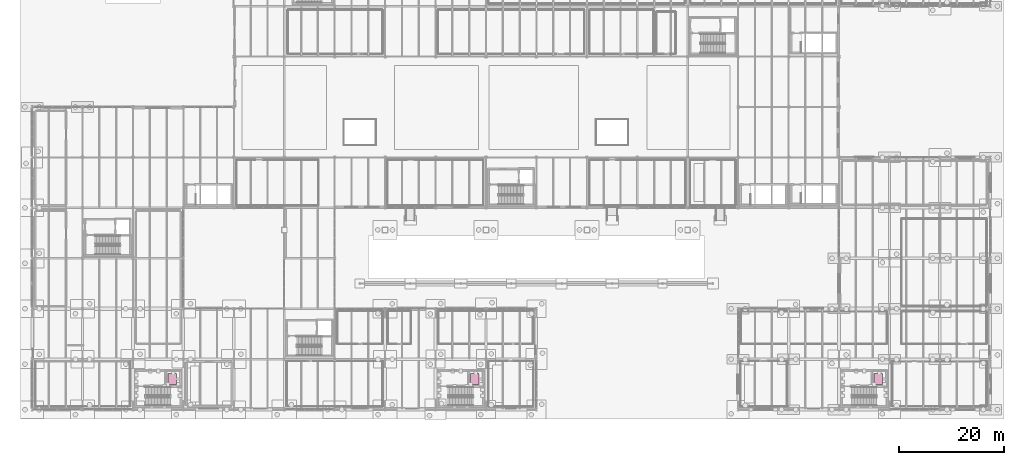
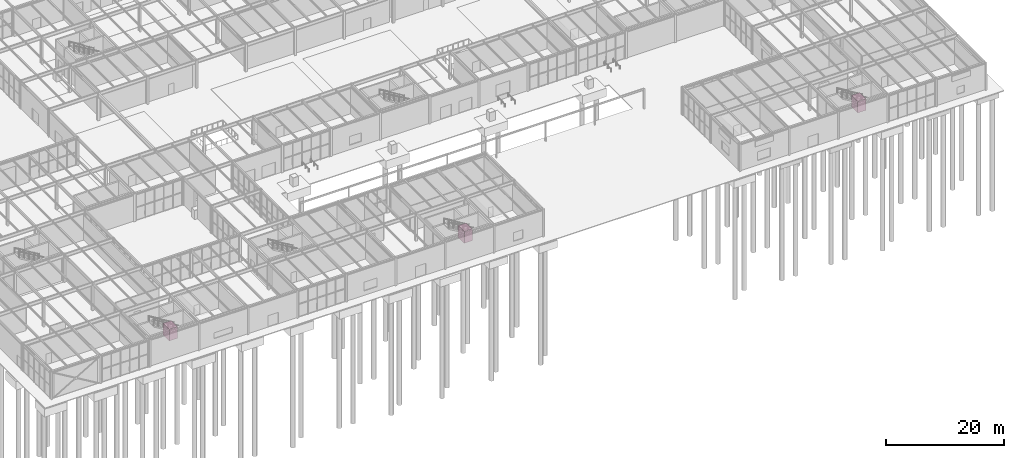
# One storey, part 142 of 142: 3 transport elements.
"""IFC4 building model written with IfcOpenShell, lengths in metres."""

from ifc_helpers import new_model, si_unit, direction, frame, origin, origin_2d, place, context, subcontext, project, spatial, rectangle, extrude, material, type_object, element, save


model = new_model("IFC4")

# Units and contexts
model_context = context("Model", 3, precision=1e-05, world=origin(), true_north=direction((0.0, 1.0)))
body_context = subcontext(model_context, "Body", "Model", "MODEL_VIEW")
ifc_project = project(units=[si_unit("LENGTHUNIT", "METRE"), si_unit("AREAUNIT", "SQUARE_METRE"), si_unit("VOLUMEUNIT", "CUBIC_METRE"), si_unit("PLANEANGLEUNIT", "RADIAN"), si_unit("MASSUNIT", "GRAM", prefix="KILO")], contexts=[model_context])

# Site, building, storey
site_placement = place(None, origin())
site = spatial("IfcSite", under=ifc_project, at=site_placement, CompositionType="ELEMENT")
building_placement = place(site_placement, origin())
building = spatial("IfcBuilding", under=site, at=building_placement, Name="Coralgate Yard Interchange", CompositionType="ELEMENT")
storey_placement = place(building_placement, origin())
storey = spatial("IfcBuildingStorey", under=building, at=storey_placement, Name="L00", CompositionType="ELEMENT", Elevation=0.0)

# Transport elements
ifc_material = material(Name="Stainless steel and laminated glass passenger lift car", Category="steel")
transport_element_type = type_object("IfcTransportElementType", Name="LFT-PAX", PredefinedType="ELEVATOR", material=ifc_material)
for number, where, z_axis, x_axis, name in (
    (1, (26.64990234375, 5.85009765625, 0.0), (0.0, 0.0, 1.0), (1.0, 0.0, 0.0), "Passenger lift LF-01"),
    (2, (84.25, 5.85009765625, 0.0), (0.0, 0.0, 1.0), (1.0, 0.0, 0.0), "Passenger lift LF-02"),
    (3, (161.050048828125, 5.85009765625, 0.0), (0.0, 0.0, 1.0), (1.0, 0.0, 0.0), "Passenger lift LF-06"),
):
    element("IfcTransportElement", number, at=place(storey_placement, frame(where, z_axis=z_axis, x_axis=x_axis)), inside=storey, type_object=transport_element_type, Name=name, PredefinedType="ELEVATOR", context=body_context, shape_type="SweptSolid", body=[
        extrude(rectangle(XDim=1.60009765625, YDim=2.10009765625, at=origin_2d()), origin(), (0.0, 0.0, 1.0), 2.39990234375),
    ])

save(model, "model.ifc")
